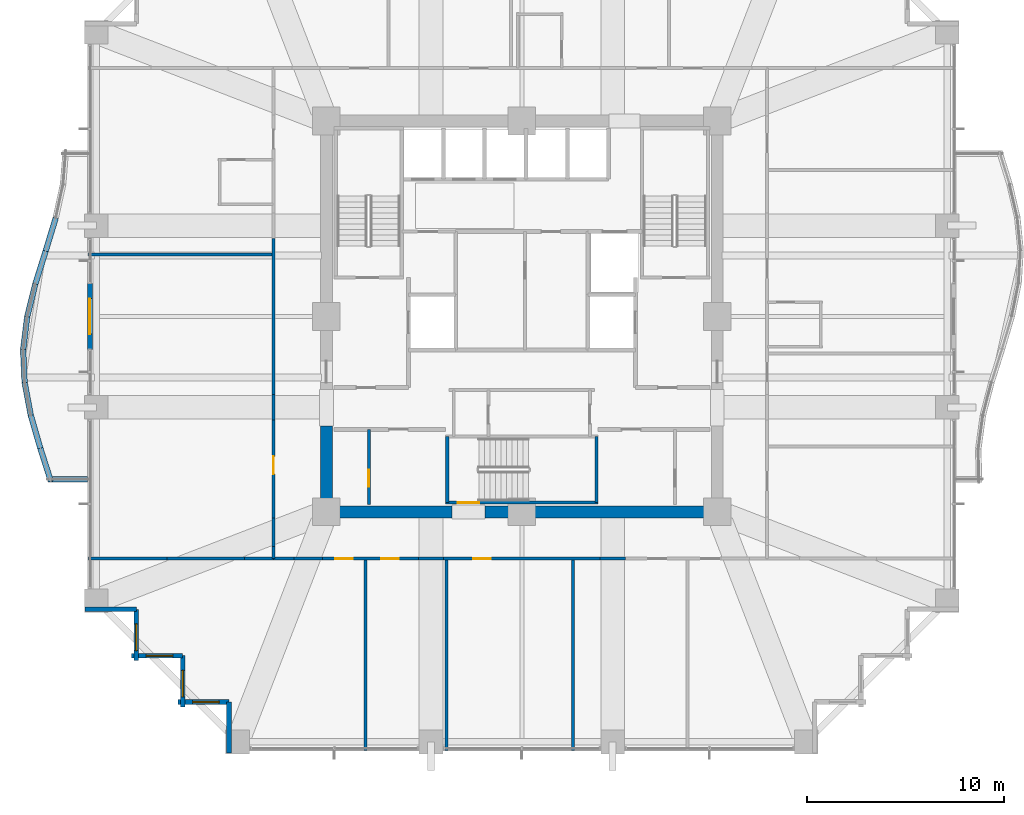
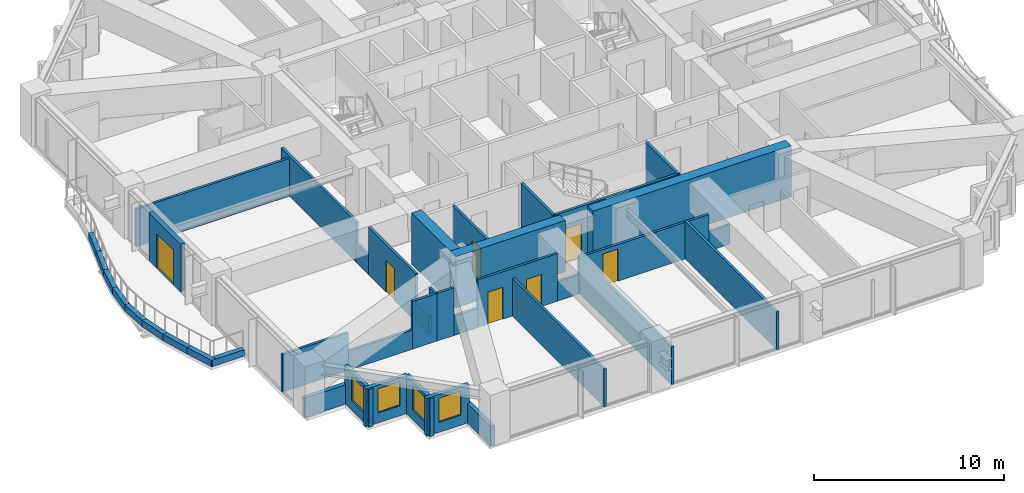
# One storey, part 33 of 39: 41 walls, 7 doors, 4 windows, 11 openings.
"""IFC4 building model written with IfcOpenShell, lengths in metres."""

import ifcopenshell
import ifcopenshell.guid

model = None  # the IFC model being written
_history = None  # IfcOwnerHistory: only IFC2X3 demands one
_inside = {}  # id of a spatial element -> (the spatial element, [elements in it])
_under = {}  # id of a project, library or spatial element -> (it, [spatial elements below it])
_declared = {}  # id of a project -> (the project, [libraries it declares])
_typed = {}  # id of a type object -> (the type object, [elements of that type])
_made_of = {}  # id of a material, layer set ... -> (it, [elements and type objects made of it])


def new_model(schema):
    """Start an empty IFC model of exactly this schema.

    Asked for "IFC4X3", IfcOpenShell would pick the latest addendum, in which some entities
    have other attributes; the version numbers below select the first issue.
    IFC2X3 requires an IfcOwnerHistory on every rooted entity: one is made here for all.
    """
    global model, _history
    if schema == "IFC4X3":
        model = ifcopenshell.file(schema_version=(4, 3, 0, 0))
    else:
        model = ifcopenshell.file(schema=schema)
    _inside.clear()
    _under.clear()
    _declared.clear()
    _typed.clear()
    _made_of.clear()
    _history = None
    if model.schema == "IFC2X3":
        org = make("IfcOrganization", Name="unknown")
        user = make(
            "IfcPersonAndOrganization",
            ThePerson=make("IfcPerson", FamilyName="unknown"),
            TheOrganization=org,
        )
        app = make(
            "IfcApplication",
            ApplicationDeveloper=org,
            Version="unknown",
            ApplicationFullName="unknown",
            ApplicationIdentifier="unknown",
        )
        _history = make(
            "IfcOwnerHistory",
            OwningUser=user,
            OwningApplication=app,
            ChangeAction="ADDED",
            CreationDate=0,
        )
    return model


def make(cls, **values):
    """One entity of the class cls with the attributes given. An attribute that is None is left unset."""
    return model.create_entity(
        cls, **{name: value for name, value in values.items() if value is not None}
    )


def rooted(cls, **values):
    """An entity with a GlobalId (a new one), such as an element, a storey or a relation."""
    return make(cls, GlobalId=ifcopenshell.guid.new(), OwnerHistory=_history, **values)


def si_unit(unit_type, name, prefix=None):
    """IfcSIUnit, for example si_unit("LENGTHUNIT", "METRE", prefix="MILLI")."""
    return make("IfcSIUnit", UnitType=unit_type, Prefix=prefix, Name=name)


def assignment(units):
    """IfcUnitAssignment: the units of a project."""
    return None if units is None else make("IfcUnitAssignment", Units=units)


def point(xyz):
    """IfcCartesianPoint."""
    return None if xyz is None else make("IfcCartesianPoint", Coordinates=xyz)


def direction(xyz):
    """IfcDirection."""
    return None if xyz is None else make("IfcDirection", DirectionRatios=xyz)


def frame(location, z_axis=None, x_axis=None):
    """IfcAxis2Placement3D, a coordinate frame: its origin and axes. An axis left out is left unset."""
    return make(
        "IfcAxis2Placement3D",
        Location=point(location),
        Axis=direction(z_axis),
        RefDirection=direction(x_axis),
    )


def frame_2d(location, x_axis=None):
    """IfcAxis2Placement2D, a coordinate frame in the plane: its origin and x axis."""
    return make(
        "IfcAxis2Placement2D", Location=point(location), RefDirection=direction(x_axis)
    )


def origin():
    """The frame at (0, 0, 0) with its axes left unset."""
    return frame((0.0, 0.0, 0.0))


def place(relative_to, where):
    """IfcLocalPlacement: puts the frame where relative to a parent placement (None: the world)."""
    return make(
        "IfcLocalPlacement", PlacementRelTo=relative_to, RelativePlacement=where
    )


def context(
    kind, dimensions, precision=None, world=None, true_north=None, identifier=None
):
    """IfcGeometricRepresentationContext, for example the 3D "Model" context."""
    return make(
        "IfcGeometricRepresentationContext",
        ContextIdentifier=identifier,
        ContextType=kind,
        CoordinateSpaceDimension=dimensions,
        Precision=precision,
        WorldCoordinateSystem=world,
        TrueNorth=true_north,
    )


def subcontext(parent, identifier, kind, view, scale=None):
    """IfcGeometricRepresentationSubContext, for example "Body" below "Model"."""
    return make(
        "IfcGeometricRepresentationSubContext",
        ContextIdentifier=identifier,
        ContextType=kind,
        ParentContext=parent,
        TargetScale=scale,
        TargetView=view,
    )


def project(units=None, contexts=None):
    """IfcProject with its units and contexts."""
    return rooted(
        "IfcProject",
        Name="project",
        RepresentationContexts=contexts,
        UnitsInContext=assignment(units),
    )


def spatial(cls, under=None, at=None, **own):
    """A site, building, storey or space (cls), placed at a placement, below another one or the project."""
    s = rooted(cls, ObjectPlacement=at, **own)
    if under is not None:
        _under.setdefault(under.id(), (under, []))[1].append(s)
    return s


def profile(cls, at=None, kind="AREA", **sizes):
    """A parametric profile (cls). Its sizes go by their IFC names, for example OverallWidth=200.0."""
    return make(cls, ProfileType=kind, Position=at, **sizes)


def rectangle(**sizes):
    """IfcRectangleProfileDef."""
    return profile("IfcRectangleProfileDef", **sizes)


def extrude(swept, where, along, depth):
    """IfcExtrudedAreaSolid: the profile swept, set in the frame where, extruded along a direction by depth."""
    return make(
        "IfcExtrudedAreaSolid",
        SweptArea=swept,
        Position=where,
        ExtrudedDirection=direction(along),
        Depth=depth,
    )


def shape(context_of_items, identifier, shape_type, items):
    """IfcShapeRepresentation: the items that make up one representation, for example the "Body"."""
    return make(
        "IfcShapeRepresentation",
        ContextOfItems=context_of_items,
        RepresentationIdentifier=identifier,
        RepresentationType=shape_type,
        Items=items,
    )


def material(Name=None, Category=None):
    """IfcMaterial."""
    return make("IfcMaterial", Name=Name, Category=Category)


def layer(
    of_material, thickness, ventilated=None, Name=None, Category=None, Priority=None
):
    """IfcMaterialLayer: one layer of a wall or slab, of a material (None: an air gap)."""
    return make(
        "IfcMaterialLayer",
        Material=of_material,
        LayerThickness=thickness,
        IsVentilated=ventilated,
        Name=Name,
        Category=Category,
        Priority=Priority,
    )


def layer_set(layers, Name=None):
    """IfcMaterialLayerSet."""
    return make("IfcMaterialLayerSet", MaterialLayers=layers, LayerSetName=Name)


def made_of(thing, what):
    """Note that an element or type object is made of a material, layer set ...; save() writes the relation."""
    if what is not None:
        _made_of.setdefault(what.id(), (what, []))[1].append(thing)
    return thing


def type_object(cls, material=None, **own):
    """A type object (cls), such as IfcWallType, which elements share."""
    return made_of(rooted(cls, **own), material)


def element(
    cls,
    number,
    at=None,
    inside=None,
    cuts=None,
    type_object=None,
    material=None,
    context=None,
    identifier="Body",
    shape_type=None,
    held_by="IfcProductDefinitionShape",
    body=None,
    shapes=None,
    **own,
):
    """One element of the class cls, such as IfcWall. Its Tag is "e" and its number.

    at: its placement. inside: the storey or other place that contains it. cuts: it is an
    opening in that element (IfcRelVoidsElement). A single representation is given by context,
    identifier, shape_type and body (its items); several are given by shapes. held_by: the class
    of the entity that holds the representations. save() writes the other relations.
    """
    e = rooted(cls, Tag="e%d" % number, ObjectPlacement=at, **own)
    if body is not None:
        shapes = [shape(context, identifier, shape_type, body)]
    if shapes is not None:
        e.Representation = make(held_by, Representations=shapes)
    if inside is not None:
        _inside.setdefault(inside.id(), (inside, []))[1].append(e)
    if cuts is not None:
        rooted(
            "IfcRelVoidsElement", RelatingBuildingElement=cuts, RelatedOpeningElement=e
        )
    if type_object is not None:
        _typed.setdefault(type_object.id(), (type_object, []))[1].append(e)
    return made_of(e, material)


def fill(opening, filler):
    """IfcRelFillsElement: the door or window that sits in an opening."""
    return rooted(
        "IfcRelFillsElement",
        RelatingOpeningElement=opening,
        RelatedBuildingElement=filler,
    )


def aggregate(whole, parts):
    """IfcRelAggregates: a whole, such as a stair, and the parts it consists of."""
    return rooted("IfcRelAggregates", RelatingObject=whole, RelatedObjects=parts)


def save(model, path):
    """Write the relations noted so far, then the file.

    IfcRelAggregates (storeys below a building ...), IfcRelContainedInSpatialStructure (elements
    in a storey), IfcRelDefinesByType, IfcRelAssociatesMaterial and IfcRelDeclares: one each for
    every whole, place, type object, material and project.
    """
    for whole, parts in _under.values():
        aggregate(whole, parts)
    for where, things in _inside.values():
        rooted(
            "IfcRelContainedInSpatialStructure",
            RelatedElements=things,
            RelatingStructure=where,
        )
    for kind, things in _typed.values():
        rooted("IfcRelDefinesByType", RelatedObjects=things, RelatingType=kind)
    for what, things in _made_of.values():
        rooted("IfcRelAssociatesMaterial", RelatedObjects=things, RelatingMaterial=what)
    for by, libraries in _declared.values():
        rooted("IfcRelDeclares", RelatingContext=by, RelatedDefinitions=libraries)
    model.write(path)


model = new_model("IFC4")

# Units and contexts
model_context = context("Model", 3, precision=1e-05, world=origin(), true_north=direction((0.0, 1.0)))
body_context = subcontext(model_context, "Body", "Model", "MODEL_VIEW")
ifc_project = project(units=[si_unit("LENGTHUNIT", "METRE"), si_unit("AREAUNIT", "SQUARE_METRE"), si_unit("VOLUMEUNIT", "CUBIC_METRE"), si_unit("PLANEANGLEUNIT", "RADIAN"), si_unit("MASSUNIT", "GRAM", prefix="KILO")], contexts=[model_context])

# Site, building, storey
site_placement = place(None, origin())
site = spatial("IfcSite", under=ifc_project, at=site_placement, CompositionType="ELEMENT")
building_placement = place(site_placement, origin())
building = spatial("IfcBuilding", under=site, at=building_placement, Name="Kolvaren Belvedere", CompositionType="ELEMENT")
storey_placement = place(building_placement, frame((0.0, 0.0, 40.300048828125)))
storey = spatial("IfcBuildingStorey", under=building, at=storey_placement, Name="L11", CompositionType="ELEMENT", Elevation=40.300048828125)

# Walls
ifc_material_1 = material(Name="Concrete C60/75", Category="concrete")
ifc_layer_1 = layer(ifc_material_1, 0.60009765625)
ifc_layer_set_1 = layer_set([ifc_layer_1], Name="Concrete C60/75")
wall_type_1 = type_object("IfcWallType", Name="CW-CORE-600", PredefinedType="SHEAR", material=ifc_layer_set_1)
wall_1_placement = place(storey_placement, frame((10.199951171875, -9.89990234375, 0.0), z_axis=(0.0, 0.0, 1.0), x_axis=(-1.0, 0.0, 0.0)))
element("IfcWall", 1, at=wall_1_placement, inside=storey, type_object=wall_type_1, Name="L11 South Core Shear Wall 1", PredefinedType="SHEAR", context=body_context, shape_type="SweptSolid", body=[
    extrude(rectangle(XDim=12.06005859375, YDim=0.60009765625, at=frame_2d((6.030029296875, 0.0))), origin(), (0.0, 0.0, 1.0), 3.300048828125),
])
wall_2_placement = place(storey_placement, frame((-3.5400390625, -9.89990234375, 0.0), z_axis=(0.0, 0.0, 1.0), x_axis=(-1.0, 0.0, 0.0)))
element("IfcWall", 2, at=wall_2_placement, inside=storey, type_object=wall_type_1, Name="L11 South Core Shear Wall 2", PredefinedType="SHEAR", context=body_context, shape_type="SweptSolid", body=[
    extrude(rectangle(XDim=6.659912109375, YDim=0.60009765625, at=frame_2d((3.330078125, 0.0))), origin(), (0.0, 0.0, 1.0), 3.300048828125),
])
wall_3_placement = place(storey_placement, frame((-9.89990234375, -9.60009765625, 0.0), z_axis=(0.0, 0.0, 1.0), x_axis=(0.0, 1.0, 0.0)))
element("IfcWall", 3, at=wall_3_placement, inside=storey, type_object=wall_type_1, Name="L11 West Core Shear Wall 1", PredefinedType="SHEAR", context=body_context, shape_type="SweptSolid", body=[
    extrude(rectangle(XDim=4.050048828125, YDim=0.60009765625, at=frame_2d((2.02490234375, 0.0))), origin(), (0.0, 0.0, 1.0), 3.300048828125),
])

# Wall, opening, door
ifc_material_2 = material(Name="Concrete C50/60", Category="concrete")
ifc_layer_2 = layer(ifc_material_2, 0.159912109375)
ifc_layer_set_2 = layer_set([ifc_layer_2], Name="Concrete C50/60")
wall_type_2 = type_object("IfcWallType", Name="CW-STAIR-160", PredefinedType="SHEAR", material=ifc_layer_set_2)
wall_4_placement = place(storey_placement, frame((3.860107421875, -9.429931640625, 0.0), z_axis=(0.0, 0.0, 1.0), x_axis=(-1.0, 0.0, 0.0)))
wall_4 = element("IfcWall", 4, at=wall_4_placement, inside=storey, type_object=wall_type_2, Name="L11 Stair ST-3 South Shear Wall", PredefinedType="SHEAR", context=body_context, shape_type="SweptSolid", body=[
    extrude(rectangle(XDim=7.72021484375, YDim=0.159912109375, at=frame_2d((3.860107421875, 0.0))), origin(), (0.0, 0.0, 1.0), 3.300048828125),
])
opening_1_placement = place(wall_4_placement, frame((6.010009765625, 0.0, 0.0)))
opening_1 = element("IfcOpeningElement", 5, at=opening_1_placement, cuts=wall_4, Name="Opening D-FD90", PredefinedType="OPENING", context=body_context, shape_type="SweptSolid", body=[
    extrude(rectangle(XDim=1.10009765625, YDim=2.199951171875, at=frame_2d((0.550048828125, 1.10009765625))), frame((0.0, 0.08984375, 0.0), z_axis=(0.0, -1.0, 0.0), x_axis=(1.0, 0.0, 0.0)), (0.0, 0.0, 1.0), 0.179931640625),
])
ifc_material_3 = material(Name="Painted hollow stainless steel", Category="steel")
door_type_1 = type_object("IfcDoorType", Name="DR-FD90-1100", OperationType="NOTDEFINED", PredefinedType="DOOR", material=ifc_material_3)
door_1_placement = place(opening_1_placement, origin())
door_1 = element("IfcDoor", 6, at=door_1_placement, inside=storey, type_object=door_type_1, Name="L11 Stair ST-3 Exit Door", OperationType="SINGLE_SWING_RIGHT", OverallHeight=2.199951171875, OverallWidth=1.10009765625, PredefinedType="DOOR", context=body_context, shape_type="SweptSolid", body=[
    extrude(rectangle(XDim=1.10009765625, YDim=2.199951171875, at=frame_2d((0.550048828125, 1.10009765625))), frame((0.0, 0.02490234375, 0.0), z_axis=(0.0, -1.0, 0.0), x_axis=(1.0, 0.0, 0.0)), (0.0, 0.0, 1.0), 0.050048828125),
])
fill(opening_1, door_1)

# Walls
for number, where, z_axis, x_axis, name in (
    (7, (-3.780029296875, -9.429931640625, 0.0), (0.0, 0.0, 1.0), (0.0, 1.0, 0.0), "L11 Stair ST-3 West Shear Wall"),
    (8, (3.780029296875, -9.429931640625, 0.0), (0.0, 0.0, 1.0), (0.0, 1.0, 0.0), "L11 Stair ST-3 East Shear Wall"),
):
    element("IfcWall", number, at=place(storey_placement, frame(where, z_axis=z_axis, x_axis=x_axis)), inside=storey, type_object=wall_type_2, Name=name, PredefinedType="SHEAR", context=body_context, shape_type="SweptSolid", body=[
        extrude(rectangle(XDim=3.349853515625, YDim=0.159912109375, at=frame_2d((1.6748046875, 0.0))), origin(), (0.0, 0.0, 1.0), 3.300048828125),
    ])
ifc_material_4 = material(Name="Gypsum fire-rated partition assembly", Category="gypsum")
ifc_layer_3 = layer(ifc_material_4, 0.14990234375)
ifc_layer_set_3 = layer_set([ifc_layer_3], Name="Gypsum fire-rated partition assembly")
wall_type_3 = type_object("IfcWallType", Name="WL-CORR-150", PredefinedType="PARTITIONING", material=ifc_layer_set_3)
wall_5_placement = place(storey_placement, frame((-12.580078125, -12.260009765625, 0.0), z_axis=(0.0, 0.0, 1.0), x_axis=(1.0, 0.0, 0.0)))
element("IfcWall", 9, at=wall_5_placement, inside=storey, type_object=wall_type_3, Name="L11 South Corridor Wall", PredefinedType="PARTITIONING", context=body_context, shape_type="SweptSolid", body=[
    extrude(rectangle(XDim=1.048828125, YDim=0.14990234375, at=frame_2d((0.5244140625, 0.0))), origin(), (0.0, 0.0, 1.0), 3.06005859375),
])
wall_6_placement = place(storey_placement, frame((-11.53125, -12.260009765625, 0.0), z_axis=(0.0, 0.0, 1.0), x_axis=(1.0, 0.0, 0.0)))
element("IfcWall", 10, at=wall_6_placement, inside=storey, type_object=wall_type_3, Name="L11 South Corridor Wall", PredefinedType="PARTITIONING", context=body_context, shape_type="SweptSolid", body=[
    extrude(rectangle(XDim=1.439453125, YDim=0.14990234375, at=frame_2d((0.7197265625, 0.0))), origin(), (0.0, 0.0, 1.0), 1.244873046875),
])

# Wall, openings, doors
wall_7_placement = place(storey_placement, frame((-10.091796875, -12.260009765625, 0.0), z_axis=(0.0, 0.0, 1.0), x_axis=(1.0, 0.0, 0.0)))
wall_7 = element("IfcWall", 11, at=wall_7_placement, inside=storey, type_object=wall_type_3, Name="L11 South Corridor Wall", PredefinedType="PARTITIONING", context=body_context, shape_type="SweptSolid", body=[
    extrude(rectangle(XDim=4.849853515625, YDim=0.14990234375, at=frame_2d((2.4248046875, 0.0))), origin(), (0.0, 0.0, 1.0), 3.06005859375),
])
opening_2_placement = place(wall_7_placement, frame((0.63037109375, 0.0, 0.0)))
opening_2 = element("IfcOpeningElement", 12, at=opening_2_placement, cuts=wall_7, Name="Opening D-INT90", PredefinedType="OPENING", context=body_context, shape_type="SweptSolid", body=[
    extrude(rectangle(XDim=0.89990234375, YDim=2.06005859375, at=frame_2d((0.449951171875, 1.030029296875))), frame((0.0, 0.0849609375, 0.0), z_axis=(0.0, -1.0, 0.0), x_axis=(1.0, 0.0, 0.0)), (0.0, 0.0, 1.0), 0.169921875),
])
opening_3_placement = place(wall_7_placement, frame((2.96533203125, 0.0, 0.0)))
opening_3 = element("IfcOpeningElement", 13, at=opening_3_placement, cuts=wall_7, Name="Opening D-INT90", PredefinedType="OPENING", context=body_context, shape_type="SweptSolid", body=[
    extrude(rectangle(XDim=0.89990234375, YDim=2.06005859375, at=frame_2d((0.449951171875, 1.030029296875))), frame((0.0, 0.0849609375, 0.0), z_axis=(0.0, -1.0, 0.0), x_axis=(1.0, 0.0, 0.0)), (0.0, 0.0, 1.0), 0.169921875),
])
ifc_material_5 = material(Name="Stained Pacific white oak", Category="timber")
door_type_2 = type_object("IfcDoorType", Name="DR-INT-900", OperationType="NOTDEFINED", PredefinedType="DOOR", material=ifc_material_5)
door_2_placement = place(opening_2_placement, origin())
door_2 = element("IfcDoor", 14, at=door_2_placement, inside=storey, type_object=door_type_2, Name="L11 Lounge 1101 Door", OperationType="SINGLE_SWING_LEFT", OverallHeight=2.06005859375, OverallWidth=0.89990234375, PredefinedType="DOOR", context=body_context, shape_type="SweptSolid", body=[
    extrude(rectangle(XDim=0.89990234375, YDim=2.06005859375, at=frame_2d((0.449951171875, 1.030029296875))), frame((0.0, 0.02490234375, 0.0), z_axis=(0.0, -1.0, 0.0), x_axis=(1.0, 0.0, 0.0)), (0.0, 0.0, 1.0), 0.050048828125),
])
fill(opening_2, door_2)
door_3_placement = place(opening_3_placement, origin())
door_3 = element("IfcDoor", 15, at=door_3_placement, inside=storey, type_object=door_type_2, Name="L11 Wellness Yoga & Reading Gym 1102 Door", OperationType="SINGLE_SWING_RIGHT", OverallHeight=2.06005859375, OverallWidth=0.89990234375, PredefinedType="DOOR", context=body_context, shape_type="SweptSolid", body=[
    extrude(rectangle(XDim=0.89990234375, YDim=2.06005859375, at=frame_2d((0.449951171875, 1.030029296875))), frame((0.0, 0.02490234375, 0.0), z_axis=(0.0, -1.0, 0.0), x_axis=(1.0, 0.0, 0.0)), (0.0, 0.0, 1.0), 0.050048828125),
])
fill(opening_3, door_3)

# Wall
wall_8_placement = place(storey_placement, frame((-5.241943359375, -12.260009765625, 0.0), z_axis=(0.0, 0.0, 1.0), x_axis=(1.0, 0.0, 0.0)))
element("IfcWall", 16, at=wall_8_placement, inside=storey, type_object=wall_type_3, Name="L11 South Corridor Wall", PredefinedType="PARTITIONING", context=body_context, shape_type="SweptSolid", body=[
    extrude(rectangle(XDim=1.283935546875, YDim=0.14990234375, at=frame_2d((0.64208984375, 0.0))), origin(), (0.0, 0.0, 1.0), 1.244873046875),
])

# Wall, opening, door
wall_9_placement = place(storey_placement, frame((-3.9580078125, -12.260009765625, 0.0), z_axis=(0.0, 0.0, 1.0), x_axis=(1.0, 0.0, 0.0)))
wall_9 = element("IfcWall", 17, at=wall_9_placement, inside=storey, type_object=wall_type_3, Name="L11 South Corridor Wall", PredefinedType="PARTITIONING", context=body_context, shape_type="SweptSolid", body=[
    extrude(rectangle(XDim=7.916015625, YDim=0.14990234375, at=frame_2d((3.9580078125, 0.0))), origin(), (0.0, 0.0, 1.0), 2.348876953125),
])
opening_4_placement = place(wall_9_placement, frame((1.48486328125, 0.0, 0.0)))
opening_4 = element("IfcOpeningElement", 18, at=opening_4_placement, cuts=wall_9, Name="Opening D-INT90", PredefinedType="OPENING", context=body_context, shape_type="SweptSolid", body=[
    extrude(rectangle(XDim=0.89990234375, YDim=2.06005859375, at=frame_2d((0.449951171875, 1.030029296875))), frame((0.0, 0.0849609375, 0.0), z_axis=(0.0, -1.0, 0.0), x_axis=(1.0, 0.0, 0.0)), (0.0, 0.0, 1.0), 0.169921875),
])
door_4_placement = place(opening_4_placement, origin())
door_4 = element("IfcDoor", 19, at=door_4_placement, inside=storey, type_object=door_type_2, Name="L11 Guest Tea & Espresso Kitchen 1103 Door", OperationType="SINGLE_SWING_LEFT", OverallHeight=2.06005859375, OverallWidth=0.89990234375, PredefinedType="DOOR", context=body_context, shape_type="SweptSolid", body=[
    extrude(rectangle(XDim=0.89990234375, YDim=2.06005859375, at=frame_2d((0.449951171875, 1.030029296875))), frame((0.0, 0.02490234375, 0.0), z_axis=(0.0, -1.0, 0.0), x_axis=(1.0, 0.0, 0.0)), (0.0, 0.0, 1.0), 0.050048828125),
])
fill(opening_4, door_4)

# Walls
wall_10_placement = place(storey_placement, frame((3.9580078125, -12.260009765625, 0.0), z_axis=(0.0, 0.0, 1.0), x_axis=(1.0, 0.0, 0.0)))
element("IfcWall", 20, at=wall_10_placement, inside=storey, type_object=wall_type_3, Name="L11 South Corridor Wall", PredefinedType="PARTITIONING", context=body_context, shape_type="SweptSolid", body=[
    extrude(rectangle(XDim=1.283935546875, YDim=0.14990234375, at=frame_2d((0.64208984375, 0.0))), origin(), (0.0, 0.0, 1.0), 1.244873046875),
])
wall_11_placement = place(storey_placement, frame((-12.580078125, -12.260009765625, 0.0), z_axis=(0.0, 0.0, 1.0), x_axis=(0.0, 1.0, 0.0)))
element("IfcWall", 21, at=wall_11_placement, inside=storey, type_object=wall_type_3, Name="L11 West Corridor Wall", PredefinedType="PARTITIONING", context=body_context, shape_type="SweptSolid", body=[
    extrude(rectangle(XDim=0.605224609375, YDim=0.14990234375, at=frame_2d((0.302734375, 0.0))), origin(), (0.0, 0.0, 1.0), 3.06005859375),
])
wall_12_placement = place(storey_placement, frame((-12.580078125, -11.65478515625, 0.0), z_axis=(0.0, 0.0, 1.0), x_axis=(0.0, 1.0, 0.0)))
element("IfcWall", 22, at=wall_12_placement, inside=storey, type_object=wall_type_3, Name="L11 West Corridor Wall", PredefinedType="PARTITIONING", context=body_context, shape_type="SweptSolid", body=[
    extrude(rectangle(XDim=1.439208984375, YDim=0.14990234375, at=frame_2d((0.7197265625, 0.0))), origin(), (0.0, 0.0, 1.0), 1.244873046875),
])

# Wall, opening, door
wall_13_placement = place(storey_placement, frame((-12.580078125, -10.215576171875, 0.0), z_axis=(0.0, 0.0, 1.0), x_axis=(0.0, 1.0, 0.0)))
wall_13 = element("IfcWall", 23, at=wall_13_placement, inside=storey, type_object=wall_type_3, Name="L11 West Corridor Wall", PredefinedType="PARTITIONING", context=body_context, shape_type="SweptSolid", body=[
    extrude(rectangle(XDim=4.9736328125, YDim=0.14990234375, at=frame_2d((2.48681640625, 0.0))), origin(), (0.0, 0.0, 1.0), 3.06005859375),
])
opening_5_placement = place(wall_13_placement, frame((2.23046875, 0.0, 0.0)))
opening_5 = element("IfcOpeningElement", 24, at=opening_5_placement, cuts=wall_13, Name="Opening D-INT90", PredefinedType="OPENING", context=body_context, shape_type="SweptSolid", body=[
    extrude(rectangle(XDim=0.89990234375, YDim=2.06005859375, at=frame_2d((0.449951171875, 1.030029296875))), frame((0.0, 0.0849609375, 0.0), z_axis=(0.0, -1.0, 0.0), x_axis=(1.0, 0.0, 0.0)), (0.0, 0.0, 1.0), 0.169921875),
])
door_5_placement = place(opening_5_placement, origin())
door_5 = element("IfcDoor", 25, at=door_5_placement, inside=storey, type_object=door_type_2, Name="L11 Lounge 1110 Door", OperationType="SINGLE_SWING_LEFT", OverallHeight=2.06005859375, OverallWidth=0.89990234375, PredefinedType="DOOR", context=body_context, shape_type="SweptSolid", body=[
    extrude(rectangle(XDim=0.89990234375, YDim=2.06005859375, at=frame_2d((0.449951171875, 1.030029296875))), frame((0.0, 0.02490234375, 0.0), z_axis=(0.0, -1.0, 0.0), x_axis=(1.0, 0.0, 0.0)), (0.0, 0.0, 1.0), 0.050048828125),
])
fill(opening_5, door_5)

# Walls
wall_14_placement = place(storey_placement, frame((-12.580078125, -5.241943359375, 0.0), z_axis=(0.0, 0.0, 1.0), x_axis=(0.0, 1.0, 0.0)))
element("IfcWall", 26, at=wall_14_placement, inside=storey, type_object=wall_type_3, Name="L11 West Corridor Wall", PredefinedType="PARTITIONING", context=body_context, shape_type="SweptSolid", body=[
    extrude(rectangle(XDim=1.283935546875, YDim=0.14990234375, at=frame_2d((0.64208984375, 0.0))), origin(), (0.0, 0.0, 1.0), 1.244873046875),
])
wall_15_placement = place(storey_placement, frame((-12.580078125, -3.9580078125, 0.0), z_axis=(0.0, 0.0, 1.0), x_axis=(0.0, 1.0, 0.0)))
element("IfcWall", 27, at=wall_15_placement, inside=storey, type_object=wall_type_3, Name="L11 West Corridor Wall", PredefinedType="PARTITIONING", context=body_context, shape_type="SweptSolid", body=[
    extrude(rectangle(XDim=7.916015625, YDim=0.14990234375, at=frame_2d((3.9580078125, 0.0))), origin(), (0.0, 0.0, 1.0), 2.5849609375),
])

# Wall, opening, door
ifc_material_6 = material(Name="Insulated pale-metal facade wall assembly", Category="aluminium")
ifc_layer_4 = layer(ifc_material_6, 0.239990234375)
ifc_layer_set_4 = layer_set([ifc_layer_4], Name="Insulated pale-metal facade wall assembly")
wall_type_4 = type_object("IfcWallType", Name="WL-EXT-240", PredefinedType="STANDARD", material=ifc_layer_set_4)
wall_16_placement = place(storey_placement, frame((-21.8798828125, -1.679931640625, 0.0), z_axis=(0.0, 0.0, 1.0), x_axis=(0.0, 1.0, 0.0)))
wall_16 = element("IfcWall", 28, at=wall_16_placement, inside=storey, type_object=wall_type_4, Name="L11 West Terrace Portal Wall", PredefinedType="STANDARD", context=body_context, shape_type="SweptSolid", body=[
    extrude(rectangle(XDim=3.35986328125, YDim=0.239990234375, at=frame_2d((1.679931640625, 0.0))), origin(), (0.0, 0.0, 1.0), 3.06005859375),
])
opening_6_placement = place(wall_16_placement, frame((0.780029296875, 0.0, 0.0)))
opening_6 = element("IfcOpeningElement", 29, at=opening_6_placement, cuts=wall_16, Name="Opening DB-1800", PredefinedType="OPENING", context=body_context, shape_type="SweptSolid", body=[
    extrude(rectangle(XDim=1.800048828125, YDim=2.199951171875, at=frame_2d((0.89990234375, 1.10009765625))), frame((0.0, 0.1298828125, 0.0), z_axis=(0.0, -1.0, 0.0), x_axis=(1.0, 0.0, 0.0)), (0.0, 0.0, 1.0), 0.260009765625),
])
ifc_material_7 = material(Name="Thermally broken pale-metal aluminium & low-iron glass", Category="aluminium")
door_type_3 = type_object("IfcDoorType", Name="DR-BAL-1800", OperationType="DOUBLE_DOOR_SLIDING", PredefinedType="DOOR", material=ifc_material_7)
door_6_placement = place(opening_6_placement, origin())
door_6 = element("IfcDoor", 30, at=door_6_placement, inside=storey, type_object=door_type_3, Name="L11 West Planted Terrace Sliding Door", OperationType="DOUBLE_DOOR_SLIDING", OverallHeight=2.199951171875, OverallWidth=1.800048828125, PredefinedType="DOOR", context=body_context, shape_type="SweptSolid", body=[
    extrude(rectangle(XDim=1.800048828125, YDim=2.199951171875, at=frame_2d((0.89990234375, 1.10009765625))), frame((0.0, 0.02490234375, 0.0), z_axis=(0.0, -1.0, 0.0), x_axis=(1.0, 0.0, 0.0)), (0.0, 0.0, 1.0), 0.050048828125),
])
fill(opening_6, door_6)

# Wall
wall_17_placement = place(storey_placement, frame((-19.530029296875, -14.830078125, 0.0), z_axis=(0.0, 0.0, 1.0), x_axis=(-1.0, 0.0, 0.0)))
element("IfcWall", 31, at=wall_17_placement, inside=storey, type_object=wall_type_4, Name="L11 Serrated Corner Facade Wall 23", PredefinedType="STANDARD", context=body_context, shape_type="SweptSolid", body=[
    extrude(rectangle(XDim=2.590087890625, YDim=0.239990234375, at=frame_2d((1.294921875, 0.0))), origin(), (0.0, 0.0, 1.0), 1.2548828125),
])

# Wall, opening, window
wall_18_placement = place(storey_placement, frame((-19.530029296875, -17.419921875, 0.0), z_axis=(0.0, 0.0, 1.0), x_axis=(0.0, 1.0, 0.0)))
wall_18 = element("IfcWall", 32, at=wall_18_placement, inside=storey, type_object=wall_type_4, Name="L11 Serrated Corner Facade Wall 24", PredefinedType="STANDARD", context=body_context, shape_type="SweptSolid", body=[
    extrude(rectangle(XDim=2.58984375, YDim=0.239990234375, at=frame_2d((1.294921875, 0.0))), origin(), (0.0, 0.0, 1.0), 2.43896484375),
])
opening_7_placement = place(wall_18_placement, frame((0.5, 0.0, 0.64990234375)))
opening_7 = element("IfcOpeningElement", 33, at=opening_7_placement, cuts=wall_18, Name="Opening W-1350", PredefinedType="OPENING", context=body_context, shape_type="SweptSolid", body=[
    extrude(rectangle(XDim=1.35009765625, YDim=1.550048828125, at=frame_2d((0.675048828125, 0.77490234375))), frame((0.0, 0.1298828125, 0.0), z_axis=(0.0, -1.0, 0.0), x_axis=(1.0, 0.0, 0.0)), (0.0, 0.0, 1.0), 0.260009765625),
])
ifc_material_8 = material(Name="Low-iron triple insulated glass", Category="glass")
window_type = type_object("IfcWindowType", Name="WN-CORN-1350", PartitioningType="SINGLE_PANEL", PredefinedType="WINDOW", material=ifc_material_8)
window_1_placement = place(opening_7_placement, origin())
window_1 = element("IfcWindow", 34, at=window_1_placement, inside=storey, type_object=window_type, Name="L11 Serrated Corner Vision Window 24", OverallHeight=1.550048828125, OverallWidth=1.35009765625, PartitioningType="SINGLE_PANEL", PredefinedType="WINDOW", context=body_context, shape_type="SweptSolid", body=[
    extrude(rectangle(XDim=1.35009765625, YDim=1.550048828125, at=frame_2d((0.675048828125, 0.77490234375))), frame((0.0, 0.030029296875, 0.0), z_axis=(0.0, -1.0, 0.0), x_axis=(1.0, 0.0, 0.0)), (0.0, 0.0, 1.0), 0.06005859375),
])
fill(opening_7, window_1)

wall_19_placement = place(storey_placement, frame((-17.179931640625, -17.179931640625, 0.0), z_axis=(0.0, 0.0, 1.0), x_axis=(-1.0, 0.0, 0.0)))
wall_19 = element("IfcWall", 35, at=wall_19_placement, inside=storey, type_object=wall_type_4, Name="L11 Serrated Corner Facade Wall 25", PredefinedType="STANDARD", context=body_context, shape_type="SweptSolid", body=[
    extrude(rectangle(XDim=2.590087890625, YDim=0.239990234375, at=frame_2d((1.294921875, 0.0))), origin(), (0.0, 0.0, 1.0), 2.43896484375),
])
opening_8_placement = place(wall_19_placement, frame((0.5, 0.0, 0.64990234375)))
opening_8 = element("IfcOpeningElement", 36, at=opening_8_placement, cuts=wall_19, Name="Opening W-1350", PredefinedType="OPENING", context=body_context, shape_type="SweptSolid", body=[
    extrude(rectangle(XDim=1.35009765625, YDim=1.550048828125, at=frame_2d((0.675048828125, 0.77490234375))), frame((0.0, 0.1298828125, 0.0), z_axis=(0.0, -1.0, 0.0), x_axis=(1.0, 0.0, 0.0)), (0.0, 0.0, 1.0), 0.260009765625),
])
window_2_placement = place(opening_8_placement, origin())
window_2 = element("IfcWindow", 37, at=window_2_placement, inside=storey, type_object=window_type, Name="L11 Serrated Corner Vision Window 25", OverallHeight=1.550048828125, OverallWidth=1.35009765625, PartitioningType="SINGLE_PANEL", PredefinedType="WINDOW", context=body_context, shape_type="SweptSolid", body=[
    extrude(rectangle(XDim=1.35009765625, YDim=1.550048828125, at=frame_2d((0.675048828125, 0.77490234375))), frame((0.0, 0.030029296875, 0.0), z_axis=(0.0, -1.0, 0.0), x_axis=(1.0, 0.0, 0.0)), (0.0, 0.0, 1.0), 0.06005859375),
])
fill(opening_8, window_2)

wall_20_placement = place(storey_placement, frame((-17.179931640625, -19.77001953125, 0.0), z_axis=(0.0, 0.0, 1.0), x_axis=(0.0, 1.0, 0.0)))
wall_20 = element("IfcWall", 38, at=wall_20_placement, inside=storey, type_object=wall_type_4, Name="L11 Serrated Corner Facade Wall 26", PredefinedType="STANDARD", context=body_context, shape_type="SweptSolid", body=[
    extrude(rectangle(XDim=2.590087890625, YDim=0.239990234375, at=frame_2d((1.294921875, 0.0))), origin(), (0.0, 0.0, 1.0), 2.43896484375),
])
opening_9_placement = place(wall_20_placement, frame((0.5, 0.0, 0.64990234375)))
opening_9 = element("IfcOpeningElement", 39, at=opening_9_placement, cuts=wall_20, Name="Opening W-1350", PredefinedType="OPENING", context=body_context, shape_type="SweptSolid", body=[
    extrude(rectangle(XDim=1.35009765625, YDim=1.550048828125, at=frame_2d((0.675048828125, 0.77490234375))), frame((0.0, 0.1298828125, 0.0), z_axis=(0.0, -1.0, 0.0), x_axis=(1.0, 0.0, 0.0)), (0.0, 0.0, 1.0), 0.260009765625),
])
window_3_placement = place(opening_9_placement, origin())
window_3 = element("IfcWindow", 40, at=window_3_placement, inside=storey, type_object=window_type, Name="L11 Serrated Corner Vision Window 26", OverallHeight=1.550048828125, OverallWidth=1.35009765625, PartitioningType="SINGLE_PANEL", PredefinedType="WINDOW", context=body_context, shape_type="SweptSolid", body=[
    extrude(rectangle(XDim=1.35009765625, YDim=1.550048828125, at=frame_2d((0.675048828125, 0.77490234375))), frame((0.0, 0.030029296875, 0.0), z_axis=(0.0, -1.0, 0.0), x_axis=(1.0, 0.0, 0.0)), (0.0, 0.0, 1.0), 0.06005859375),
])
fill(opening_9, window_3)

wall_21_placement = place(storey_placement, frame((-14.830078125, -19.530029296875, 0.0), z_axis=(0.0, 0.0, 1.0), x_axis=(-1.0, 0.0, 0.0)))
wall_21 = element("IfcWall", 41, at=wall_21_placement, inside=storey, type_object=wall_type_4, Name="L11 Serrated Corner Facade Wall 27", PredefinedType="STANDARD", context=body_context, shape_type="SweptSolid", body=[
    extrude(rectangle(XDim=2.58984375, YDim=0.239990234375, at=frame_2d((1.294921875, 0.0))), origin(), (0.0, 0.0, 1.0), 2.43896484375),
])
opening_10_placement = place(wall_21_placement, frame((0.5, 0.0, 0.64990234375)))
opening_10 = element("IfcOpeningElement", 42, at=opening_10_placement, cuts=wall_21, Name="Opening W-1350", PredefinedType="OPENING", context=body_context, shape_type="SweptSolid", body=[
    extrude(rectangle(XDim=1.35009765625, YDim=1.550048828125, at=frame_2d((0.675048828125, 0.77490234375))), frame((0.0, 0.1298828125, 0.0), z_axis=(0.0, -1.0, 0.0), x_axis=(1.0, 0.0, 0.0)), (0.0, 0.0, 1.0), 0.260009765625),
])
window_4_placement = place(opening_10_placement, origin())
window_4 = element("IfcWindow", 43, at=window_4_placement, inside=storey, type_object=window_type, Name="L11 Serrated Corner Vision Window 27", OverallHeight=1.550048828125, OverallWidth=1.35009765625, PartitioningType="SINGLE_PANEL", PredefinedType="WINDOW", context=body_context, shape_type="SweptSolid", body=[
    extrude(rectangle(XDim=1.35009765625, YDim=1.550048828125, at=frame_2d((0.675048828125, 0.77490234375))), frame((0.0, 0.030029296875, 0.0), z_axis=(0.0, -1.0, 0.0), x_axis=(1.0, 0.0, 0.0)), (0.0, 0.0, 1.0), 0.06005859375),
])
fill(opening_10, window_4)

# Wall
wall_22_placement = place(storey_placement, frame((-14.830078125, -22.1201171875, 0.0), z_axis=(0.0, 0.0, 1.0), x_axis=(0.0, 1.0, 0.0)))
element("IfcWall", 44, at=wall_22_placement, inside=storey, type_object=wall_type_4, Name="L11 Serrated Corner Facade Wall 28", PredefinedType="STANDARD", context=body_context, shape_type="SweptSolid", body=[
    extrude(rectangle(XDim=2.590087890625, YDim=0.239990234375, at=frame_2d((1.294921875, 0.0))), origin(), (0.0, 0.0, 1.0), 1.2548828125),
])

# Wall, opening, door
ifc_material_9 = material(Name="Gypsum acoustic partition assembly", Category="gypsum")
ifc_layer_5 = layer(ifc_material_9, 0.14990234375)
ifc_layer_set_5 = layer_set([ifc_layer_5], Name="Gypsum acoustic partition assembly")
wall_type_5 = type_object("IfcWallType", Name="WL-PART-150", PredefinedType="PARTITIONING", material=ifc_layer_set_5)
wall_23_placement = place(storey_placement, frame((-7.75, -9.52001953125, 0.0), z_axis=(0.0, 0.0, 1.0), x_axis=(0.0, 1.0, 0.0)))
wall_23 = element("IfcWall", 45, at=wall_23_placement, inside=storey, type_object=wall_type_5, Name="L11 SW Core Asymmetric Divider", PredefinedType="PARTITIONING", context=body_context, shape_type="SweptSolid", body=[
    extrude(rectangle(XDim=3.800048828125, YDim=0.14990234375, at=frame_2d((1.89990234375, 0.0))), origin(), (0.0, 0.0, 1.0), 3.06005859375),
])
opening_11_placement = place(wall_23_placement, frame((0.89990234375, 0.0, 0.0)))
opening_11 = element("IfcOpeningElement", 46, at=opening_11_placement, cuts=wall_23, Name="Opening D-INT85", PredefinedType="OPENING", context=body_context, shape_type="SweptSolid", body=[
    extrude(rectangle(XDim=0.85009765625, YDim=2.030029296875, at=frame_2d((0.425048828125, 1.01513671875))), frame((0.0, 0.0849609375, 0.0), z_axis=(0.0, -1.0, 0.0), x_axis=(1.0, 0.0, 0.0)), (0.0, 0.0, 1.0), 0.169921875),
])
ifc_material_10 = material(Name="Stained Pacific white oak", Category="timber")
door_type_4 = type_object("IfcDoorType", Name="DR-INT-850", OperationType="NOTDEFINED", PredefinedType="DOOR", material=ifc_material_10)
door_7_placement = place(opening_11_placement, origin())
door_7 = element("IfcDoor", 47, at=door_7_placement, inside=storey, type_object=door_type_4, Name="L11 SW Glassware Door", OperationType="SINGLE_SWING_RIGHT", OverallHeight=2.030029296875, OverallWidth=0.85009765625, PredefinedType="DOOR", context=body_context, shape_type="SweptSolid", body=[
    extrude(rectangle(XDim=0.85009765625, YDim=2.030029296875, at=frame_2d((0.425048828125, 1.01513671875))), frame((0.0, 0.02490234375, 0.0), z_axis=(0.0, -1.0, 0.0), x_axis=(1.0, 0.0, 0.0)), (0.0, 0.0, 1.0), 0.050048828125),
])
fill(opening_11, door_7)

# Walls
wall_24_placement = place(storey_placement, frame((-21.97998046875, -12.260009765625, 0.0), z_axis=(0.0, 0.0, 1.0), x_axis=(1.0, 0.0, 0.0)))
element("IfcWall", 48, at=wall_24_placement, inside=storey, type_object=wall_type_5, Name="L11 Wing Divider PW-L11-QSW", PredefinedType="PARTITIONING", context=body_context, shape_type="SweptSolid", body=[
    extrude(rectangle(XDim=4.0166015625, YDim=0.14990234375, at=frame_2d((2.00830078125, 0.0))), origin(), (0.0, 0.0, 1.0), 2.428955078125),
])
wall_25_placement = place(storey_placement, frame((-17.96337890625, -12.260009765625, 0.0), z_axis=(0.0, 0.0, 1.0), x_axis=(1.0, 0.0, 0.0)))
element("IfcWall", 49, at=wall_25_placement, inside=storey, type_object=wall_type_5, Name="L11 Wing Divider PW-L11-QSW", PredefinedType="PARTITIONING", context=body_context, shape_type="SweptSolid", body=[
    extrude(rectangle(XDim=3.9072265625, YDim=0.14990234375, at=frame_2d((1.95361328125, 0.0))), origin(), (0.0, 0.0, 1.0), 1.244873046875),
])
wall_26_placement = place(storey_placement, frame((-14.05615234375, -12.260009765625, 0.0), z_axis=(0.0, 0.0, 1.0), x_axis=(1.0, 0.0, 0.0)))
element("IfcWall", 50, at=wall_26_placement, inside=storey, type_object=wall_type_5, Name="L11 Wing Divider PW-L11-QSW", PredefinedType="PARTITIONING", context=body_context, shape_type="SweptSolid", body=[
    extrude(rectangle(XDim=1.47607421875, YDim=0.14990234375, at=frame_2d((0.738037109375, 0.0))), origin(), (0.0, 0.0, 1.0), 3.06005859375),
])
for number, where, z_axis, x_axis, name in (
    (51, (-7.919921875, -21.97998046875, 0.0), (0.0, 0.0, 1.0), (0.0, 1.0, 0.0), "L11 South Suite Demising Wall 1"),
    (52, (-3.820068359375, -21.97998046875, 0.0), (0.0, 0.0, 1.0), (0.0, 1.0, 0.0), "L11 South Suite Demising Wall 2"),
    (53, (2.580078125, -21.97998046875, 0.0), (0.0, 0.0, 1.0), (0.0, 1.0, 0.0), "L11 South Suite Demising Wall 3"),
):
    element("IfcWall", number, at=place(storey_placement, frame(where, z_axis=z_axis, x_axis=x_axis)), inside=storey, type_object=wall_type_5, Name=name, PredefinedType="PARTITIONING", context=body_context, shape_type="SweptSolid", body=[
        extrude(rectangle(XDim=9.719970703125, YDim=0.14990234375, at=frame_2d((4.85986328125, 0.0))), origin(), (0.0, 0.0, 1.0), 2.428955078125),
    ])
wall_27_placement = place(storey_placement, frame((-21.97998046875, 3.14794921875, 0.0), z_axis=(0.0, 0.0, 1.0), x_axis=(1.0, 0.0, 0.0)))
element("IfcWall", 54, at=wall_27_placement, inside=storey, type_object=wall_type_5, Name="L11 West Suite Demising Wall 1", PredefinedType="PARTITIONING", context=body_context, shape_type="SweptSolid", body=[
    extrude(rectangle(XDim=9.39990234375, YDim=0.14990234375, at=frame_2d((4.699951171875, 0.0))), origin(), (0.0, 0.0, 1.0), 2.428955078125),
])
ifc_material_11 = material(Name="Precast concrete C40/50", Category="concrete")
ifc_layer_6 = layer(ifc_material_11, 0.300048828125)
ifc_layer_set_6 = layer_set([ifc_layer_6], Name="Precast concrete C40/50")
wall_type_6 = type_object("IfcWallType", Name="WL-PLANTER-300", PredefinedType="PARAPET", material=ifc_layer_set_6)
wall_28_placement = place(storey_placement, frame((-23.608154296875, 4.993408203125, -0.06005859375), z_axis=(0.0, 0.0, 1.0), x_axis=(-0.291006697567, -0.956721015747, 0.0)))
element("IfcWall", 55, at=wall_28_placement, inside=storey, type_object=wall_type_6, Name="L11 Precast Structural Planter Wall BAL-W-3", PredefinedType="PARAPET", context=body_context, shape_type="SweptSolid", body=[
    extrude(rectangle(XDim=1.755859375, YDim=0.280029296875, at=frame_2d((0.8779296875, 0.0))), origin(), (0.0, 0.0, 1.0), 0.419921875),
])
wall_29_placement = place(storey_placement, frame((-24.11962890625, 3.31201171875, -0.06005859375), z_axis=(0.0, 0.0, 1.0), x_axis=(-0.299624691176, -0.954057149461, 0.0)))
element("IfcWall", 56, at=wall_29_placement, inside=storey, type_object=wall_type_6, Name="L11 Precast Structural Planter Wall BAL-W-4", PredefinedType="PARAPET", context=body_context, shape_type="SweptSolid", body=[
    extrude(rectangle(XDim=1.7607421875, YDim=0.280029296875, at=frame_2d((0.88037109375, 0.0))), origin(), (0.0, 0.0, 1.0), 0.419921875),
])
wall_30_placement = place(storey_placement, frame((-24.644287109375, 1.6416015625, -0.06005859375), z_axis=(0.0, 0.0, 1.0), x_axis=(-0.23931377861, -0.970942282202, 0.0)))
element("IfcWall", 57, at=wall_30_placement, inside=storey, type_object=wall_type_6, Name="L11 Precast Structural Planter Wall BAL-W-5", PredefinedType="PARAPET", context=body_context, shape_type="SweptSolid", body=[
    extrude(rectangle(XDim=1.730224609375, YDim=0.280029296875, at=frame_2d((0.865234375, 0.0))), origin(), (0.0, 0.0, 1.0), 0.419921875),
])
wall_31_placement = place(storey_placement, frame((-25.054931640625, -0.01953125, -0.06005859375), z_axis=(0.0, 0.0, 1.0), x_axis=(-0.121886315522, -0.99254406758, 0.0)))
element("IfcWall", 58, at=wall_31_placement, inside=storey, type_object=wall_type_6, Name="L11 Precast Structural Planter Wall BAL-W-6", PredefinedType="PARAPET", context=body_context, shape_type="SweptSolid", body=[
    extrude(rectangle(XDim=1.692626953125, YDim=0.280029296875, at=frame_2d((0.84619140625, 0.0))), origin(), (0.0, 0.0, 1.0), 0.419921875),
])
wall_32_placement = place(storey_placement, frame((-25.26025390625, -1.6728515625, -0.06005859375), z_axis=(0.0, 0.0, 1.0), x_axis=(0.045150826395, -0.998980181423, 0.0)))
element("IfcWall", 59, at=wall_32_placement, inside=storey, type_object=wall_type_6, Name="L11 Precast Structural Planter Wall BAL-W-7", PredefinedType="PARAPET", context=body_context, shape_type="SweptSolid", body=[
    extrude(rectangle(XDim=1.681640625, YDim=0.280029296875, at=frame_2d((0.8408203125, 0.0))), origin(), (0.0, 0.0, 1.0), 0.419921875),
])
wall_33_placement = place(storey_placement, frame((-25.18701171875, -3.330322265625, -0.06005859375), z_axis=(0.0, 0.0, 1.0), x_axis=(0.184788595231, -0.982778293957, 0.0)))
element("IfcWall", 60, at=wall_33_placement, inside=storey, type_object=wall_type_6, Name="L11 Precast Structural Planter Wall BAL-W-8", PredefinedType="PARAPET", context=body_context, shape_type="SweptSolid", body=[
    extrude(rectangle(XDim=1.709716796875, YDim=0.280029296875, at=frame_2d((0.85498046875, 0.0))), origin(), (0.0, 0.0, 1.0), 0.419921875),
])
wall_34_placement = place(storey_placement, frame((-24.874755859375, -4.99560546875, -0.06005859375), z_axis=(0.0, 0.0, 1.0), x_axis=(0.277946215201, -0.96059663827, 0.0)))
element("IfcWall", 61, at=wall_34_placement, inside=storey, type_object=wall_type_6, Name="L11 Precast Structural Planter Wall BAL-W-9", PredefinedType="PARAPET", context=body_context, shape_type="SweptSolid", body=[
    extrude(rectangle(XDim=1.748779296875, YDim=0.280029296875, at=frame_2d((0.87451171875, 0.0))), origin(), (0.0, 0.0, 1.0), 0.419921875),
])
wall_35_placement = place(storey_placement, frame((-24.389892578125, -6.67138671875, -0.06005859375), z_axis=(0.0, 0.0, 1.0), x_axis=(0.303906495014, -0.952701864325, 0.0)))
element("IfcWall", 62, at=wall_35_placement, inside=storey, type_object=wall_type_6, Name="L11 Precast Structural Planter Wall BAL-W-10", PredefinedType="PARAPET", context=body_context, shape_type="SweptSolid", body=[
    extrude(rectangle(XDim=1.763427734375, YDim=0.280029296875, at=frame_2d((0.8818359375, 0.0))), origin(), (0.0, 0.0, 1.0), 0.419921875),
])
wall_36_placement = place(storey_placement, frame((-24.00634765625, -8.239990234375, -0.06005859375), z_axis=(0.0, 0.0, 1.0), x_axis=(1.0, 0.0, 0.0)))
element("IfcWall", 63, at=wall_36_placement, inside=storey, type_object=wall_type_6, Name="L11 Precast Structural Planter Wall BAL-W-11", PredefinedType="PARAPET", context=body_context, shape_type="SweptSolid", body=[
    extrude(rectangle(XDim=2.00634765625, YDim=0.280029296875, at=frame_2d((1.003173828125, 0.0))), origin(), (0.0, 0.0, 1.0), 0.419921875),
])

save(model, "model.ifc")
